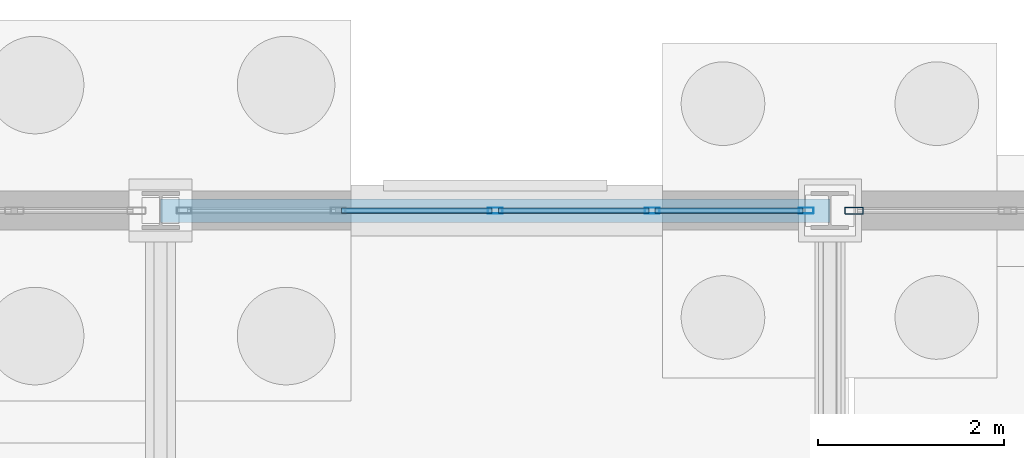
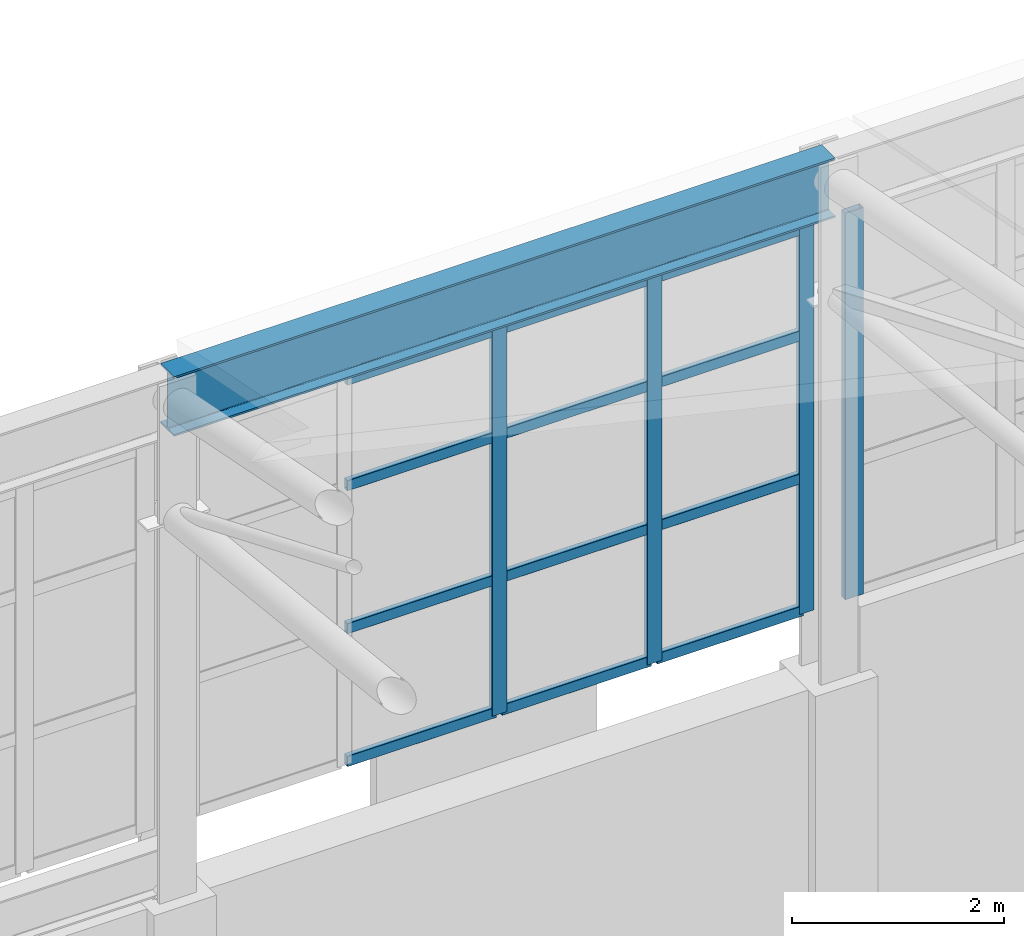
# One storey, part 223 of 293: 16 members, 1 beam, 2 elements without a shape of their own.
"""IFC4 building model written with IfcOpenShell, lengths in metres."""

from ifc_helpers import new_model, si_unit, direction, frame, origin, origin_2d, place, context, subcontext, project, spatial, hollow_rectangle, i_section, extrude, material, layer, layer_set, material_profile, profile_set, type_object, element, aggregate, save


model = new_model("IFC4")

# Units and contexts
model_context = context("Model", 3, precision=1e-05, world=origin(), true_north=direction((0.0, 1.0)))
body_context = subcontext(model_context, "Body", "Model", "MODEL_VIEW")
ifc_project = project(units=[si_unit("LENGTHUNIT", "METRE"), si_unit("AREAUNIT", "SQUARE_METRE"), si_unit("VOLUMEUNIT", "CUBIC_METRE"), si_unit("PLANEANGLEUNIT", "RADIAN"), si_unit("MASSUNIT", "GRAM", prefix="KILO")], contexts=[model_context])

# Site, building, storey
site_placement = place(None, origin())
site = spatial("IfcSite", under=ifc_project, at=site_placement, CompositionType="ELEMENT")
building_placement = place(site_placement, origin())
building = spatial("IfcBuilding", under=site, at=building_placement, Name="Kemerveld Promenade Tramway Depot", CompositionType="ELEMENT")
storey_placement = place(building_placement, origin())
storey = spatial("IfcBuildingStorey", under=building, at=storey_placement, Name="L00", CompositionType="ELEMENT", Elevation=0.0)

# Beam
ifc_material_1 = material(Name="Steel S355", Category="steel")
ifc_material_profile_1 = material_profile(ifc_material_1, i_section(OverallWidth=0.25439453125, OverallDepth=0.6875, WebThickness=0.01318359375, FlangeThickness=0.02099609375, FilletRadius=0.01513671875, at=origin_2d()), Name="686x254x152 UB")
ifc_profile_set_1 = profile_set([ifc_material_profile_1], Name="Steel S355")
beam_type = type_object("IfcBeamType", Name="BM-G03", PredefinedType="BEAM", material=ifc_profile_set_1)
beam_placement = place(storey_placement, frame((151.199951171875, 144.0, 11.056396484375), z_axis=(1.0, 0.0, 0.0), x_axis=(0.0, 1.0, 0.0)))
element("IfcBeam", 1, at=beam_placement, inside=storey, type_object=beam_type, Name="BM-SHED-EAVE-U-22", PredefinedType="BEAM", context=body_context, shape_type="SweptSolid", body=[
    extrude(i_section(OverallWidth=0.25439453125, OverallDepth=0.6875, WebThickness=0.01318359375, FlangeThickness=0.02099609375, FilletRadius=0.01513671875, at=origin_2d()), origin(), (0.0, 0.0, 1.0), 7.199951171875),
])

# Curtain wall, members
ifc_material_2 = material(Name="Bronze anodised aluminium and solar glass", Category="aluminium")
ifc_layer_1 = layer(ifc_material_2, 0.159912109375)
ifc_layer_set_1 = layer_set([ifc_layer_1], Name="CW-SYS-03")
curtain_wall_type_1 = type_object("IfcCurtainWallType", Name="CW-SYS-03", PredefinedType="USERDEFINED", material=ifc_layer_set_1)
curtain_wall_1_placement = place(storey_placement, origin())
curtain_wall_1 = element("IfcCurtainWall", 2, at=curtain_wall_1_placement, inside=storey, type_object=curtain_wall_type_1, Name="CW-V1-N-17", ObjectType="GLAZED_CURTAIN_WALL", PredefinedType="USERDEFINED")
ifc_material_3 = material(Name="Bronze anodised aluminium", Category="aluminium")
ifc_material_profile_2 = material_profile(ifc_material_3, hollow_rectangle(XDim=0.06494140625, YDim=0.159912109375, WallThickness=0.00390625, InnerFilletRadius=0.001953125, OuterFilletRadius=0.00390625, at=origin_2d()), Name="CW-MUL-160x65")
ifc_profile_set_2 = profile_set([ifc_material_profile_2], Name="Bronze anodised aluminium")
member_type_1 = type_object("IfcMemberType", Name="CW-MUL-A", PredefinedType="MULLION", material=ifc_profile_set_2)
member_1_placement = place(storey_placement, frame((154.800048828125, 144.0, 6.199951171875), z_axis=(0.0, 0.0, 1.0), x_axis=(0.0, 1.0, 0.0)))
member_1 = element("IfcMember", 3, at=member_1_placement, type_object=member_type_1, Name="CW03 mullion 3", PredefinedType="MULLION", context=body_context, shape_type="SweptSolid", body=[
    extrude(hollow_rectangle(XDim=0.06494140625, YDim=0.159912109375, WallThickness=0.00390625, InnerFilletRadius=0.001953125, OuterFilletRadius=0.00390625, at=origin_2d()), origin(), (0.0, 0.0, 1.0), 4.449951171875),
])
member_2_placement = place(storey_placement, frame((156.48828125, 144.0, 6.199951171875), z_axis=(0.0, 0.0, 1.0), x_axis=(0.0, 1.0, 0.0)))
member_2 = element("IfcMember", 4, at=member_2_placement, type_object=member_type_1, Name="CW03 mullion 4", PredefinedType="MULLION", context=body_context, shape_type="SweptSolid", body=[
    extrude(hollow_rectangle(XDim=0.06494140625, YDim=0.159912109375, WallThickness=0.00390625, InnerFilletRadius=0.001953125, OuterFilletRadius=0.00390625, at=origin_2d()), origin(), (0.0, 0.0, 1.0), 4.449951171875),
])
member_3_placement = place(storey_placement, frame((158.144287109375, 144.0, 6.199951171875), z_axis=(0.0, 0.0, 1.0), x_axis=(0.0, 1.0, 0.0)))
member_3 = element("IfcMember", 5, at=member_3_placement, type_object=member_type_1, Name="CW03 mullion 5", PredefinedType="MULLION", context=body_context, shape_type="SweptSolid", body=[
    extrude(hollow_rectangle(XDim=0.06494140625, YDim=0.159912109375, WallThickness=0.00390625, InnerFilletRadius=0.001953125, OuterFilletRadius=0.00390625, at=origin_2d()), origin(), (0.0, 0.0, 1.0), 4.449951171875),
])

# Curtain wall, member
ifc_layer_2 = layer(ifc_material_2, 0.199951171875)
ifc_layer_set_2 = layer_set([ifc_layer_2], Name="CW-SYS-04")
curtain_wall_type_2 = type_object("IfcCurtainWallType", Name="CW-SYS-04", PredefinedType="USERDEFINED", material=ifc_layer_set_2)
curtain_wall_2_placement = place(storey_placement, origin())
curtain_wall_2 = element("IfcCurtainWall", 6, at=curtain_wall_2_placement, inside=storey, type_object=curtain_wall_type_2, Name="CW-V1-N-18", ObjectType="GLAZED_CURTAIN_WALL", PredefinedType="USERDEFINED")
ifc_material_profile_3 = material_profile(ifc_material_3, hollow_rectangle(XDim=0.074951171875, YDim=0.199951171875, WallThickness=0.0048828125, InnerFilletRadius=0.001953125, OuterFilletRadius=0.0048828125, at=origin_2d()), Name="CW-MUL-200x75")
ifc_profile_set_3 = profile_set([ifc_material_profile_3], Name="Bronze anodised aluminium")
member_type_2 = type_object("IfcMemberType", Name="CW-MUL-B", PredefinedType="MULLION", material=ifc_profile_set_3)
member_4_placement = place(storey_placement, frame((158.66064453125, 144.0, 6.199951171875), z_axis=(0.0, 0.0, 1.0), x_axis=(0.0, 1.0, 0.0)))
member_4 = element("IfcMember", 7, at=member_4_placement, type_object=member_type_2, Name="CW04 mullion 1", PredefinedType="MULLION", context=body_context, shape_type="SweptSolid", body=[
    extrude(hollow_rectangle(XDim=0.074951171875, YDim=0.199951171875, WallThickness=0.0048828125, InnerFilletRadius=0.001953125, OuterFilletRadius=0.0048828125, at=origin_2d()), origin(), (0.0, 0.0, 1.0), 4.449951171875),
])
aggregate(curtain_wall_2, [member_4])

# Member
ifc_material_profile_4 = material_profile(ifc_material_3, hollow_rectangle(XDim=0.06005859375, YDim=0.1201171875, WallThickness=0.00390625, InnerFilletRadius=0.001953125, OuterFilletRadius=0.00390625, at=origin_2d()), Name="CW-TRN-120x60")
ifc_profile_set_4 = profile_set([ifc_material_profile_4], Name="Bronze anodised aluminium")
member_type_3 = type_object("IfcMemberType", Name="CW-TRN-A", PredefinedType="USERDEFINED", material=ifc_profile_set_4)
member_5_placement = place(storey_placement, frame((153.14404296875, 144.0, 6.22998046875), z_axis=(1.0, 0.0, 0.0), x_axis=(0.0, 1.0, 0.0)))
member_5 = element("IfcMember", 8, at=member_5_placement, type_object=member_type_3, Name="CW03 transom 2.1", ObjectType="TRANSOM", PredefinedType="USERDEFINED", context=body_context, shape_type="SweptSolid", body=[
    extrude(hollow_rectangle(XDim=0.06005859375, YDim=0.1201171875, WallThickness=0.00390625, InnerFilletRadius=0.001953125, OuterFilletRadius=0.00390625, at=origin_2d()), origin(), (0.0, 0.0, 1.0), 1.62353515625),
])

member_6_placement = place(storey_placement, frame((153.14404296875, 144.0, 7.758056640625), z_axis=(1.0, 0.0, 0.0), x_axis=(0.0, 1.0, 0.0)))
member_6 = element("IfcMember", 9, at=member_6_placement, type_object=member_type_3, Name="CW03 transom 2.2", ObjectType="TRANSOM", PredefinedType="USERDEFINED", context=body_context, shape_type="SweptSolid", body=[
    extrude(hollow_rectangle(XDim=0.06005859375, YDim=0.1201171875, WallThickness=0.00390625, InnerFilletRadius=0.001953125, OuterFilletRadius=0.00390625, at=origin_2d()), origin(), (0.0, 0.0, 1.0), 1.62353515625),
])

member_7_placement = place(storey_placement, frame((153.14404296875, 144.0, 9.404052734375), z_axis=(1.0, 0.0, 0.0), x_axis=(0.0, 1.0, 0.0)))
member_7 = element("IfcMember", 10, at=member_7_placement, type_object=member_type_3, Name="CW03 transom 2.3", ObjectType="TRANSOM", PredefinedType="USERDEFINED", context=body_context, shape_type="SweptSolid", body=[
    extrude(hollow_rectangle(XDim=0.06005859375, YDim=0.1201171875, WallThickness=0.00390625, InnerFilletRadius=0.001953125, OuterFilletRadius=0.00390625, at=origin_2d()), origin(), (0.0, 0.0, 1.0), 1.62353515625),
])

member_8_placement = place(storey_placement, frame((153.14404296875, 144.0, 10.6201171875), z_axis=(1.0, 0.0, 0.0), x_axis=(0.0, 1.0, 0.0)))
member_8 = element("IfcMember", 11, at=member_8_placement, type_object=member_type_3, Name="CW03 transom 2.4", ObjectType="TRANSOM", PredefinedType="USERDEFINED", context=body_context, shape_type="SweptSolid", body=[
    extrude(hollow_rectangle(XDim=0.06005859375, YDim=0.1201171875, WallThickness=0.00390625, InnerFilletRadius=0.001953125, OuterFilletRadius=0.00390625, at=origin_2d()), origin(), (0.0, 0.0, 1.0), 1.62353515625),
])

member_9_placement = place(storey_placement, frame((154.83251953125, 144.0, 6.22998046875), z_axis=(1.0, 0.0, 0.0), x_axis=(0.0, 1.0, 0.0)))
member_9 = element("IfcMember", 12, at=member_9_placement, type_object=member_type_3, Name="CW03 transom 3.1", ObjectType="TRANSOM", PredefinedType="USERDEFINED", context=body_context, shape_type="SweptSolid", body=[
    extrude(hollow_rectangle(XDim=0.06005859375, YDim=0.1201171875, WallThickness=0.00390625, InnerFilletRadius=0.001953125, OuterFilletRadius=0.00390625, at=origin_2d()), origin(), (0.0, 0.0, 1.0), 1.623291015625),
])

member_10_placement = place(storey_placement, frame((154.83251953125, 144.0, 7.758056640625), z_axis=(1.0, 0.0, 0.0), x_axis=(0.0, 1.0, 0.0)))
member_10 = element("IfcMember", 13, at=member_10_placement, type_object=member_type_3, Name="CW03 transom 3.2", ObjectType="TRANSOM", PredefinedType="USERDEFINED", context=body_context, shape_type="SweptSolid", body=[
    extrude(hollow_rectangle(XDim=0.06005859375, YDim=0.1201171875, WallThickness=0.00390625, InnerFilletRadius=0.001953125, OuterFilletRadius=0.00390625, at=origin_2d()), origin(), (0.0, 0.0, 1.0), 1.623291015625),
])

member_11_placement = place(storey_placement, frame((154.83251953125, 144.0, 9.404052734375), z_axis=(1.0, 0.0, 0.0), x_axis=(0.0, 1.0, 0.0)))
member_11 = element("IfcMember", 14, at=member_11_placement, type_object=member_type_3, Name="CW03 transom 3.3", ObjectType="TRANSOM", PredefinedType="USERDEFINED", context=body_context, shape_type="SweptSolid", body=[
    extrude(hollow_rectangle(XDim=0.06005859375, YDim=0.1201171875, WallThickness=0.00390625, InnerFilletRadius=0.001953125, OuterFilletRadius=0.00390625, at=origin_2d()), origin(), (0.0, 0.0, 1.0), 1.623291015625),
])

member_12_placement = place(storey_placement, frame((154.83251953125, 144.0, 10.6201171875), z_axis=(1.0, 0.0, 0.0), x_axis=(0.0, 1.0, 0.0)))
member_12 = element("IfcMember", 15, at=member_12_placement, type_object=member_type_3, Name="CW03 transom 3.4", ObjectType="TRANSOM", PredefinedType="USERDEFINED", context=body_context, shape_type="SweptSolid", body=[
    extrude(hollow_rectangle(XDim=0.06005859375, YDim=0.1201171875, WallThickness=0.00390625, InnerFilletRadius=0.001953125, OuterFilletRadius=0.00390625, at=origin_2d()), origin(), (0.0, 0.0, 1.0), 1.623291015625),
])

member_13_placement = place(storey_placement, frame((156.52099609375, 144.0, 6.22998046875), z_axis=(1.0, 0.0, 0.0), x_axis=(0.0, 1.0, 0.0)))
member_13 = element("IfcMember", 16, at=member_13_placement, type_object=member_type_3, Name="CW03 transom 4.1", ObjectType="TRANSOM", PredefinedType="USERDEFINED", context=body_context, shape_type="SweptSolid", body=[
    extrude(hollow_rectangle(XDim=0.06005859375, YDim=0.1201171875, WallThickness=0.00390625, InnerFilletRadius=0.001953125, OuterFilletRadius=0.00390625, at=origin_2d()), origin(), (0.0, 0.0, 1.0), 1.5908203125),
])

member_14_placement = place(storey_placement, frame((156.52099609375, 144.0, 7.758056640625), z_axis=(1.0, 0.0, 0.0), x_axis=(0.0, 1.0, 0.0)))
member_14 = element("IfcMember", 17, at=member_14_placement, type_object=member_type_3, Name="CW03 transom 4.2", ObjectType="TRANSOM", PredefinedType="USERDEFINED", context=body_context, shape_type="SweptSolid", body=[
    extrude(hollow_rectangle(XDim=0.06005859375, YDim=0.1201171875, WallThickness=0.00390625, InnerFilletRadius=0.001953125, OuterFilletRadius=0.00390625, at=origin_2d()), origin(), (0.0, 0.0, 1.0), 1.5908203125),
])

member_15_placement = place(storey_placement, frame((156.52099609375, 144.0, 9.404052734375), z_axis=(1.0, 0.0, 0.0), x_axis=(0.0, 1.0, 0.0)))
member_15 = element("IfcMember", 18, at=member_15_placement, type_object=member_type_3, Name="CW03 transom 4.3", ObjectType="TRANSOM", PredefinedType="USERDEFINED", context=body_context, shape_type="SweptSolid", body=[
    extrude(hollow_rectangle(XDim=0.06005859375, YDim=0.1201171875, WallThickness=0.00390625, InnerFilletRadius=0.001953125, OuterFilletRadius=0.00390625, at=origin_2d()), origin(), (0.0, 0.0, 1.0), 1.5908203125),
])

member_16_placement = place(storey_placement, frame((156.52099609375, 144.0, 10.6201171875), z_axis=(1.0, 0.0, 0.0), x_axis=(0.0, 1.0, 0.0)))
member_16 = element("IfcMember", 19, at=member_16_placement, type_object=member_type_3, Name="CW03 transom 4.4", ObjectType="TRANSOM", PredefinedType="USERDEFINED", context=body_context, shape_type="SweptSolid", body=[
    extrude(hollow_rectangle(XDim=0.06005859375, YDim=0.1201171875, WallThickness=0.00390625, InnerFilletRadius=0.001953125, OuterFilletRadius=0.00390625, at=origin_2d()), origin(), (0.0, 0.0, 1.0), 1.5908203125),
])

aggregate(curtain_wall_1, [member_1, member_2, member_3, member_5, member_6, member_7, member_8, member_9, member_10, member_11, member_12, member_13, member_14, member_15, member_16])

save(model, "model.ifc")
